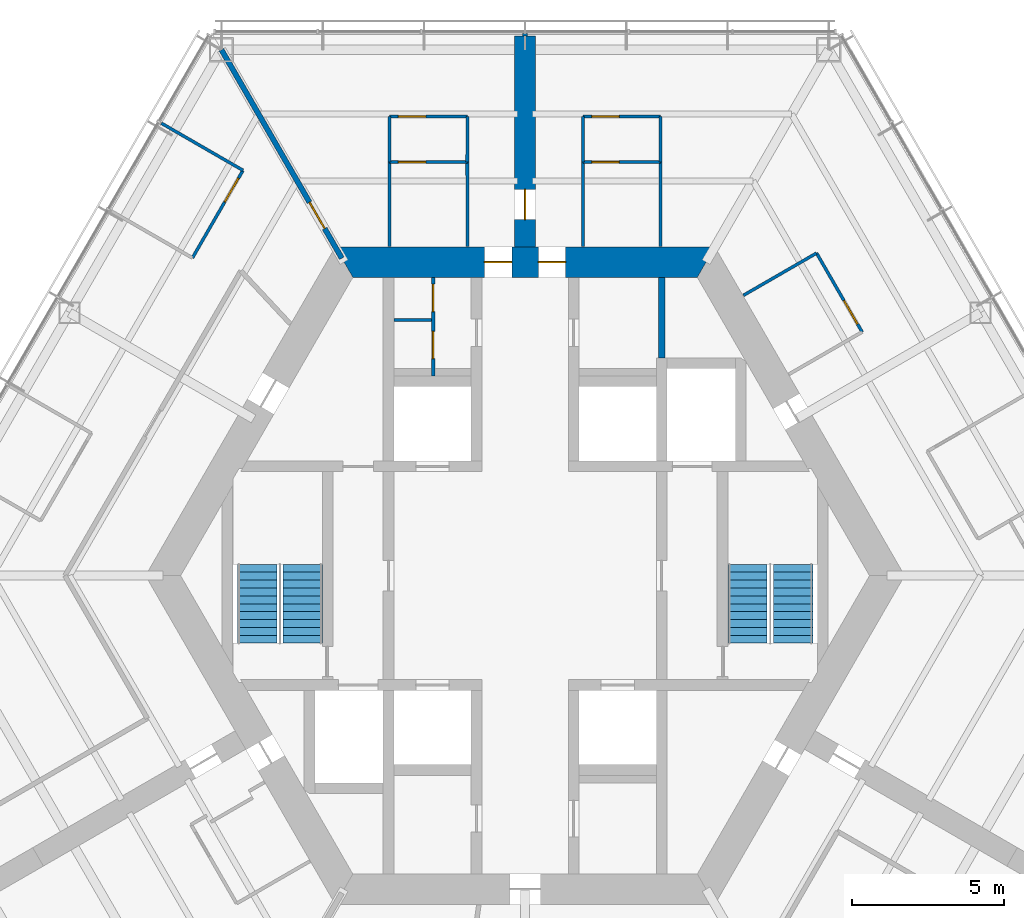
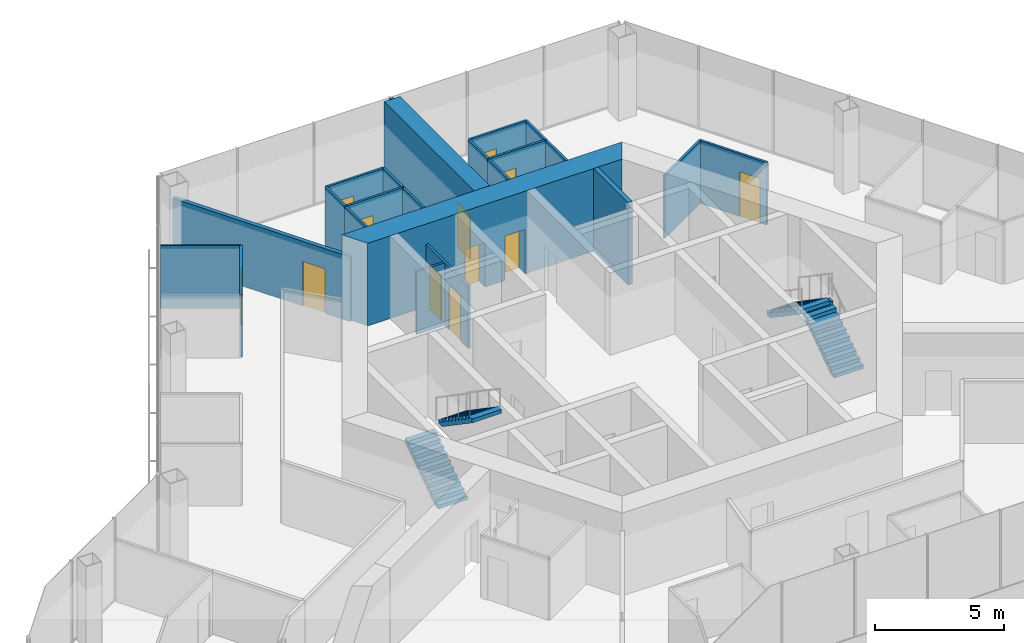
# One storey, part 15 of 18: 23 walls, 12 doors, 4 stair flights, 12 openings, 2 elements without a shape of their own.
"""IFC4 building model written with IfcOpenShell, lengths in metres."""

from ifc_helpers import new_model, si_unit, direction, frame, frame_2d, origin, place, context, subcontext, project, spatial, polyline, rectangle, outline, extrude, material, layer, layer_set, type_object, element, fill, aggregate, save


model = new_model("IFC4")

# Units and contexts
model_context = context("Model", 3, precision=1e-05, world=origin(), true_north=direction((0.0, 1.0)))
body_context = subcontext(model_context, "Body", "Model", "MODEL_VIEW")
ifc_project = project(units=[si_unit("LENGTHUNIT", "METRE"), si_unit("AREAUNIT", "SQUARE_METRE"), si_unit("VOLUMEUNIT", "CUBIC_METRE"), si_unit("PLANEANGLEUNIT", "RADIAN"), si_unit("MASSUNIT", "GRAM", prefix="KILO")], contexts=[model_context])

# Site, building, storey
site_placement = place(None, origin())
site = spatial("IfcSite", under=ifc_project, at=site_placement, CompositionType="ELEMENT")
building_placement = place(site_placement, origin())
building = spatial("IfcBuilding", under=site, at=building_placement, Name="Kasaneha Research Tower", CompositionType="ELEMENT")
storey_placement = place(building_placement, frame((0.0, 0.0, 179.89990234375)))
storey = spatial("IfcBuildingStorey", under=building, at=storey_placement, Name="L45", CompositionType="ELEMENT", Elevation=179.89990234375)

# Wall, openings, doors
ifc_material_1 = material(Name="Concrete Fc70", Category="concrete")
ifc_layer_1 = layer(ifc_material_1, 1.0)
ifc_layer_set_1 = layer_set([ifc_layer_1], Name="Core wall 1000 Fc70")
wall_type_1 = type_object("IfcWallType", Name="Core wall 1000 Fc70", PredefinedType="SHEAR", material=ifc_layer_set_1)
wall_1_placement = place(storey_placement, frame((5.961181640625, 10.324951171875, 0.0), z_axis=(0.0, 0.0, 1.0), x_axis=(-1.0, 0.0, 0.0)))
wall_1 = element("IfcWall", 1, at=wall_1_placement, inside=storey, type_object=wall_type_1, Name="Core wall 090 L45", PredefinedType="SHEAR", context=body_context, shape_type="SweptSolid", body=[
    extrude(outline(polyline([(-0.28857421875, -0.5), (4.62353515625, -0.5), (5.5234375, -0.5), (6.398681640625, -0.5), (7.298583984375, -0.5), (12.2109375, -0.5), (11.6337890625, 0.5), (7.298583984375, 0.5), (6.398681640625, 0.5), (5.5234375, 0.5), (4.62353515625, 0.5), (0.28857421875, 0.5), (-0.28857421875, -0.5)])), origin(), (0.0, 0.0, 1.0), 3.900146484375),
])
opening_1_placement = place(wall_1_placement, frame((6.398681640625, 0.0, 0.0)))
opening_1 = element("IfcOpeningElement", 2, at=opening_1_placement, cuts=wall_1, Name="Opening L45-D01", PredefinedType="OPENING", context=body_context, shape_type="SweptSolid", body=[
    extrude(rectangle(XDim=0.89990234375, YDim=2.10009765625, at=frame_2d((0.449951171875, 1.050048828125))), frame((0.0, 0.510009765625, 0.0), z_axis=(0.0, -1.0, 0.0), x_axis=(1.0, 0.0, 0.0)), (0.0, 0.0, 1.0), 1.02001953125),
])
opening_2_placement = place(wall_1_placement, frame((4.62353515625, 0.0, 0.0)))
opening_2 = element("IfcOpeningElement", 3, at=opening_2_placement, cuts=wall_1, Name="Opening L45-D02", PredefinedType="OPENING", context=body_context, shape_type="SweptSolid", body=[
    extrude(rectangle(XDim=0.89990234375, YDim=2.10009765625, at=frame_2d((0.449951171875, 1.050048828125))), frame((0.0, 0.510009765625, 0.0), z_axis=(0.0, -1.0, 0.0), x_axis=(1.0, 0.0, 0.0)), (0.0, 0.0, 1.0), 1.02001953125),
])
ifc_material_2 = material(Name="Steel", Category="steel")
door_type_1 = type_object("IfcDoorType", Name="Toilet door FD20 900x2100", OperationType="NOTDEFINED", PredefinedType="DOOR", material=ifc_material_2)
door_1_placement = place(opening_1_placement, origin())
door_1 = element("IfcDoor", 4, at=door_1_placement, inside=storey, type_object=door_type_1, Name="Core door north 1 L45-D01", OperationType="SINGLE_SWING_RIGHT", OverallHeight=2.10009765625, OverallWidth=0.89990234375, PredefinedType="DOOR", context=body_context, shape_type="SweptSolid", body=[
    extrude(rectangle(XDim=0.89990234375, YDim=2.10009765625, at=frame_2d((0.449951171875, 1.050048828125))), frame((0.0, 0.02490234375, 0.0), z_axis=(0.0, -1.0, 0.0), x_axis=(1.0, 0.0, 0.0)), (0.0, 0.0, 1.0), 0.050048828125),
])
fill(opening_1, door_1)
door_2_placement = place(opening_2_placement, origin())
door_2 = element("IfcDoor", 5, at=door_2_placement, inside=storey, type_object=door_type_1, Name="Core door north 2 L45-D02", OperationType="SINGLE_SWING_LEFT", OverallHeight=2.10009765625, OverallWidth=0.89990234375, PredefinedType="DOOR", context=body_context, shape_type="SweptSolid", body=[
    extrude(rectangle(XDim=0.89990234375, YDim=2.10009765625, at=frame_2d((0.449951171875, 1.050048828125))), frame((0.0, 0.02490234375, 0.0), z_axis=(0.0, -1.0, 0.0), x_axis=(1.0, 0.0, 0.0)), (0.0, 0.0, 1.0), 0.050048828125),
])
fill(opening_2, door_2)

ifc_material_3 = material(Name="Gypsum board on steel studs, one layer each side", Category="steel")
ifc_layer_2 = layer(ifc_material_3, 0.10009765625)
ifc_layer_set_2 = layer_set([ifc_layer_2], Name="Office partition 100")
wall_type_2 = type_object("IfcWallType", Name="Office partition 100", PredefinedType="PARTITIONING", material=ifc_layer_set_2)
wall_2_placement = place(storey_placement, frame((-3.02490234375, 6.574951171875, 0.0), z_axis=(0.0, 0.0, 1.0), x_axis=(0.0, 1.0, 0.0)))
wall_2 = element("IfcWall", 6, at=wall_2_placement, inside=storey, type_object=wall_type_2, Name="Office partition TBM1 L45", PredefinedType="PARTITIONING", context=body_context, shape_type="SweptSolid", body=[
    extrude(rectangle(XDim=3.25, YDim=0.10009765625, at=frame_2d((1.625, 0.0))), origin(), (0.0, 0.0, 1.0), 2.9501953125),
])
opening_3_placement = place(wall_2_placement, frame((0.574951171875, 0.0, 0.0)))
opening_3 = element("IfcOpeningElement", 7, at=opening_3_placement, cuts=wall_2, Name="Opening L45-D20", PredefinedType="OPENING", context=body_context, shape_type="SweptSolid", body=[
    extrude(rectangle(XDim=0.89990234375, YDim=2.10009765625, at=frame_2d((0.449951171875, 1.050048828125))), frame((0.0, 0.06005859375, 0.0), z_axis=(0.0, -1.0, 0.0), x_axis=(1.0, 0.0, 0.0)), (0.0, 0.0, 1.0), 0.1201171875),
])
opening_4_placement = place(wall_2_placement, frame((2.125, 0.0, 0.0)))
opening_4 = element("IfcOpeningElement", 8, at=opening_4_placement, cuts=wall_2, Name="Opening L45-D21", PredefinedType="OPENING", context=body_context, shape_type="SweptSolid", body=[
    extrude(rectangle(XDim=0.89990234375, YDim=2.10009765625, at=frame_2d((0.449951171875, 1.050048828125))), frame((0.0, 0.06005859375, 0.0), z_axis=(0.0, -1.0, 0.0), x_axis=(1.0, 0.0, 0.0)), (0.0, 0.0, 1.0), 0.1201171875),
])
ifc_material_4 = material(Name="Steel", Category="steel")
door_type_2 = type_object("IfcDoorType", Name="Toilet lobby door FD30 900x2100", OperationType="NOTDEFINED", PredefinedType="DOOR", material=ifc_material_4)
door_3_placement = place(opening_3_placement, origin())
door_3 = element("IfcDoor", 9, at=door_3_placement, inside=storey, type_object=door_type_2, Name="Men's WC door L45-D20", OperationType="SINGLE_SWING_RIGHT", OverallHeight=2.10009765625, OverallWidth=0.89990234375, PredefinedType="DOOR", context=body_context, shape_type="SweptSolid", body=[
    extrude(rectangle(XDim=0.89990234375, YDim=2.10009765625, at=frame_2d((0.449951171875, 1.050048828125))), frame((0.0, 0.02490234375, 0.0), z_axis=(0.0, -1.0, 0.0), x_axis=(1.0, 0.0, 0.0)), (0.0, 0.0, 1.0), 0.050048828125),
])
fill(opening_3, door_3)
door_4_placement = place(opening_4_placement, origin())
door_4 = element("IfcDoor", 10, at=door_4_placement, inside=storey, type_object=door_type_2, Name="Cleaner's store door L45-D21", OperationType="SINGLE_SWING_RIGHT", OverallHeight=2.10009765625, OverallWidth=0.89990234375, PredefinedType="DOOR", context=body_context, shape_type="SweptSolid", body=[
    extrude(rectangle(XDim=0.89990234375, YDim=2.10009765625, at=frame_2d((0.449951171875, 1.050048828125))), frame((0.0, 0.02490234375, 0.0), z_axis=(0.0, -1.0, 0.0), x_axis=(1.0, 0.0, 0.0)), (0.0, 0.0, 1.0), 0.050048828125),
])
fill(opening_4, door_4)

# Wall
wall_3_placement = place(storey_placement, frame((-3.074951171875, 8.425048828125, 0.0), z_axis=(0.0, 0.0, 1.0), x_axis=(-1.0, 0.0, 0.0)))
element("IfcWall", 11, at=wall_3_placement, inside=storey, type_object=wall_type_2, Name="Office partition TBM2 L45", PredefinedType="PARTITIONING", context=body_context, shape_type="SweptSolid", body=[
    extrude(rectangle(XDim=1.25, YDim=0.10009765625, at=frame_2d((0.625, 0.0))), origin(), (0.0, 0.0, 1.0), 2.9501953125),
])

# Wall, opening, door
wall_4_placement = place(storey_placement, frame((1.89990234375, 13.6201171875, 0.0), z_axis=(0.0, 0.0, 1.0), x_axis=(1.0, 0.0, 0.0)))
wall_4 = element("IfcWall", 12, at=wall_4_placement, inside=storey, type_object=wall_type_2, Name="Office partition FAE01 L45", PredefinedType="PARTITIONING", context=body_context, shape_type="SweptSolid", body=[
    extrude(rectangle(XDim=2.565185546875, YDim=0.10009765625, at=frame_2d((1.28271484375, 0.0))), origin(), (0.0, 0.0, 1.0), 2.9501953125),
])
opening_5_placement = place(wall_4_placement, frame((0.300048828125, 0.0, 0.0)))
opening_5 = element("IfcOpeningElement", 13, at=opening_5_placement, cuts=wall_4, Name="Opening L45-D24", PredefinedType="OPENING", context=body_context, shape_type="SweptSolid", body=[
    extrude(rectangle(XDim=0.89990234375, YDim=2.10009765625, at=frame_2d((0.449951171875, 1.050048828125))), frame((0.0, 0.06005859375, 0.0), z_axis=(0.0, -1.0, 0.0), x_axis=(1.0, 0.0, 0.0)), (0.0, 0.0, 1.0), 0.1201171875),
])
door_5_placement = place(opening_5_placement, origin())
door_5 = element("IfcDoor", 14, at=door_5_placement, inside=storey, type_object=door_type_2, Name="Women's WC door L45-D24", OperationType="SINGLE_SWING_LEFT", OverallHeight=2.10009765625, OverallWidth=0.89990234375, PredefinedType="DOOR", context=body_context, shape_type="SweptSolid", body=[
    extrude(rectangle(XDim=0.89990234375, YDim=2.10009765625, at=frame_2d((0.449951171875, 1.050048828125))), frame((0.0, 0.02490234375, 0.0), z_axis=(0.0, -1.0, 0.0), x_axis=(1.0, 0.0, 0.0)), (0.0, 0.0, 1.0), 0.050048828125),
])
fill(opening_5, door_5)

# Walls
for number, where, z_axis, x_axis, name in (
    (15, (1.89990234375, 10.844970703125, 0.0), (0.0, 0.0, 1.0), (0.001668567099, 0.999998607941, 0.0), "Office partition FAE02 L45"),
    (16, (4.460205078125, 13.625, 0.0), (0.0, 0.0, 1.0), (0.001756386155, -0.999998457553, 0.0), "Office partition FAE03 L45"),
):
    element("IfcWall", number, at=place(storey_placement, frame(where, z_axis=z_axis, x_axis=x_axis)), inside=storey, type_object=wall_type_2, Name=name, PredefinedType="PARTITIONING", context=body_context, shape_type="SweptSolid", body=[
        extrude(rectangle(XDim=2.780029296875, YDim=0.10009765625, at=frame_2d((1.39013671875, 0.0))), origin(), (0.0, 0.0, 1.0), 2.9501953125),
    ])

# Wall, opening, door
wall_5_placement = place(storey_placement, frame((1.89990234375, 15.125, 0.0), z_axis=(0.0, 0.0, 1.0), x_axis=(1.0, 0.0, 0.0)))
wall_5 = element("IfcWall", 17, at=wall_5_placement, inside=storey, type_object=wall_type_2, Name="Office partition FAE04 L45", PredefinedType="PARTITIONING", context=body_context, shape_type="SweptSolid", body=[
    extrude(rectangle(XDim=2.565185546875, YDim=0.10009765625, at=frame_2d((1.28271484375, 0.0))), origin(), (0.0, 0.0, 1.0), 2.9501953125),
])
opening_6_placement = place(wall_5_placement, frame((0.300048828125, 0.0, 0.0)))
opening_6 = element("IfcOpeningElement", 18, at=opening_6_placement, cuts=wall_5, Name="Opening L45-D25", PredefinedType="OPENING", context=body_context, shape_type="SweptSolid", body=[
    extrude(rectangle(XDim=0.89990234375, YDim=2.10009765625, at=frame_2d((0.449951171875, 1.050048828125))), frame((0.0, 0.06005859375, 0.0), z_axis=(0.0, -1.0, 0.0), x_axis=(1.0, 0.0, 0.0)), (0.0, 0.0, 1.0), 0.1201171875),
])
door_6_placement = place(opening_6_placement, origin())
door_6 = element("IfcDoor", 19, at=door_6_placement, inside=storey, type_object=door_type_2, Name="Toilet lobby door L45-D25", OperationType="SINGLE_SWING_LEFT", OverallHeight=2.10009765625, OverallWidth=0.89990234375, PredefinedType="DOOR", context=body_context, shape_type="SweptSolid", body=[
    extrude(rectangle(XDim=0.89990234375, YDim=2.10009765625, at=frame_2d((0.449951171875, 1.050048828125))), frame((0.0, 0.02490234375, 0.0), z_axis=(0.0, -1.0, 0.0), x_axis=(1.0, 0.0, 0.0)), (0.0, 0.0, 1.0), 0.050048828125),
])
fill(opening_6, door_6)

# Walls
for number, where, z_axis, x_axis, name in (
    (20, (1.904541015625, 13.625, 0.0), (0.0, 0.0, 1.0), (-0.00309243313, 0.999995218417, 0.0), "Office partition FAE05 L45"),
    (21, (4.465087890625, 15.125, 0.0), (0.0, 0.0, 1.0), (-0.003255191087, -0.999994701851, 0.0), "Office partition FAE06 L45"),
):
    element("IfcWall", number, at=place(storey_placement, frame(where, z_axis=z_axis, x_axis=x_axis)), inside=storey, type_object=wall_type_2, Name=name, PredefinedType="PARTITIONING", context=body_context, shape_type="SweptSolid", body=[
        extrude(rectangle(XDim=1.5, YDim=0.10009765625, at=frame_2d((0.75, 0.0))), origin(), (0.0, 0.0, 1.0), 2.9501953125),
    ])
wall_6_placement = place(storey_placement, frame((7.19189453125, 9.23291015625, 0.0), z_axis=(0.0, 0.0, 1.0), x_axis=(0.866018876994, 0.500011304563, 0.0)))
element("IfcWall", 22, at=wall_6_placement, inside=storey, type_object=wall_type_2, Name="Office partition FAE07 L45", PredefinedType="PARTITIONING", context=body_context, shape_type="SweptSolid", body=[
    extrude(rectangle(XDim=2.7802734375, YDim=0.10009765625, at=frame_2d((1.39013671875, 0.0))), origin(), (0.0, 0.0, 1.0), 2.9501953125),
])

# Wall, opening, door
wall_7_placement = place(storey_placement, frame((9.599609375, 10.623046875, 0.0), z_axis=(0.0, 0.0, 1.0), x_axis=(0.499990139034, -0.866031096941, 0.0)))
wall_7 = element("IfcWall", 23, at=wall_7_placement, inside=storey, type_object=wall_type_2, Name="Office partition FAE08 L45", PredefinedType="PARTITIONING", context=body_context, shape_type="SweptSolid", body=[
    extrude(rectangle(XDim=3.0, YDim=0.10009765625, at=frame_2d((1.5, 0.0))), origin(), (0.0, 0.0, 1.0), 2.9501953125),
])
opening_7_placement = place(wall_7_placement, frame((1.800048828125, 0.0, 0.0)))
opening_7 = element("IfcOpeningElement", 24, at=opening_7_placement, cuts=wall_7, Name="Opening L45-D26", PredefinedType="OPENING", context=body_context, shape_type="SweptSolid", body=[
    extrude(rectangle(XDim=0.89990234375, YDim=2.10009765625, at=frame_2d((0.449951171875, 1.050048828125))), frame((0.0, 0.06005859375, 0.0), z_axis=(0.0, -1.0, 0.0), x_axis=(1.0, 0.0, 0.0)), (0.0, 0.0, 1.0), 0.1201171875),
])
ifc_material_5 = material(Name="Timber veneer", Category="wood")
door_type_3 = type_object("IfcDoorType", Name="Office door 900x2100", OperationType="SINGLE_SWING_LEFT", PredefinedType="DOOR", material=ifc_material_5)
door_7_placement = place(opening_7_placement, origin())
door_7 = element("IfcDoor", 25, at=door_7_placement, inside=storey, type_object=door_type_3, Name="Pantry door L45-D26", OperationType="SINGLE_SWING_RIGHT", OverallHeight=2.10009765625, OverallWidth=0.89990234375, PredefinedType="DOOR", context=body_context, shape_type="SweptSolid", body=[
    extrude(rectangle(XDim=0.89990234375, YDim=2.10009765625, at=frame_2d((0.449951171875, 1.050048828125))), frame((0.0, 0.02490234375, 0.0), z_axis=(0.0, -1.0, 0.0), x_axis=(1.0, 0.0, 0.0)), (0.0, 0.0, 1.0), 0.050048828125),
])
fill(opening_7, door_7)

wall_8_placement = place(storey_placement, frame((-4.470947265625, 13.6201171875, 0.0), z_axis=(0.0, 0.0, 1.0), x_axis=(1.0, 0.0, 0.0)))
wall_8 = element("IfcWall", 26, at=wall_8_placement, inside=storey, type_object=wall_type_2, Name="Office partition FAW01 L45", PredefinedType="PARTITIONING", context=body_context, shape_type="SweptSolid", body=[
    extrude(rectangle(XDim=2.571044921875, YDim=0.10009765625, at=frame_2d((1.28564453125, 0.0))), origin(), (0.0, 0.0, 1.0), 2.9501953125),
])
opening_8_placement = place(wall_8_placement, frame((0.300048828125, 0.0, 0.0)))
opening_8 = element("IfcOpeningElement", 27, at=opening_8_placement, cuts=wall_8, Name="Opening L45-D29", PredefinedType="OPENING", context=body_context, shape_type="SweptSolid", body=[
    extrude(rectangle(XDim=0.89990234375, YDim=2.10009765625, at=frame_2d((0.449951171875, 1.050048828125))), frame((0.0, 0.06005859375, 0.0), z_axis=(0.0, -1.0, 0.0), x_axis=(1.0, 0.0, 0.0)), (0.0, 0.0, 1.0), 0.1201171875),
])
door_8_placement = place(opening_8_placement, origin())
door_8 = element("IfcDoor", 28, at=door_8_placement, inside=storey, type_object=door_type_2, Name="Men's WC door L45-D29", OperationType="SINGLE_SWING_LEFT", OverallHeight=2.10009765625, OverallWidth=0.89990234375, PredefinedType="DOOR", context=body_context, shape_type="SweptSolid", body=[
    extrude(rectangle(XDim=0.89990234375, YDim=2.10009765625, at=frame_2d((0.449951171875, 1.050048828125))), frame((0.0, 0.02490234375, 0.0), z_axis=(0.0, -1.0, 0.0), x_axis=(1.0, 0.0, 0.0)), (0.0, 0.0, 1.0), 0.050048828125),
])
fill(opening_8, door_8)

# Walls
for number, where, z_axis, x_axis, name in (
    (29, (-4.470947265625, 10.844970703125, 0.0), (0.0, 0.0, 1.0), (0.001668567099, 0.999998607941, 0.0), "Office partition FAW02 L45"),
    (30, (-1.90478515625, 13.625, 0.0), (0.0, 0.0, 1.0), (0.001756386155, -0.999998457553, 0.0), "Office partition FAW03 L45"),
):
    element("IfcWall", number, at=place(storey_placement, frame(where, z_axis=z_axis, x_axis=x_axis)), inside=storey, type_object=wall_type_2, Name=name, PredefinedType="PARTITIONING", context=body_context, shape_type="SweptSolid", body=[
        extrude(rectangle(XDim=2.780029296875, YDim=0.10009765625, at=frame_2d((1.39013671875, 0.0))), origin(), (0.0, 0.0, 1.0), 2.9501953125),
    ])

# Wall, opening, door
wall_9_placement = place(storey_placement, frame((-4.470947265625, 15.125, 0.0), z_axis=(0.0, 0.0, 1.0), x_axis=(1.0, 0.0, 0.0)))
wall_9 = element("IfcWall", 31, at=wall_9_placement, inside=storey, type_object=wall_type_2, Name="Office partition FAW04 L45", PredefinedType="PARTITIONING", context=body_context, shape_type="SweptSolid", body=[
    extrude(rectangle(XDim=2.571044921875, YDim=0.10009765625, at=frame_2d((1.28564453125, 0.0))), origin(), (0.0, 0.0, 1.0), 2.9501953125),
])
opening_9_placement = place(wall_9_placement, frame((0.300048828125, 0.0, 0.0)))
opening_9 = element("IfcOpeningElement", 32, at=opening_9_placement, cuts=wall_9, Name="Opening L45-D30", PredefinedType="OPENING", context=body_context, shape_type="SweptSolid", body=[
    extrude(rectangle(XDim=0.89990234375, YDim=2.10009765625, at=frame_2d((0.449951171875, 1.050048828125))), frame((0.0, 0.06005859375, 0.0), z_axis=(0.0, -1.0, 0.0), x_axis=(1.0, 0.0, 0.0)), (0.0, 0.0, 1.0), 0.1201171875),
])
door_9_placement = place(opening_9_placement, origin())
door_9 = element("IfcDoor", 33, at=door_9_placement, inside=storey, type_object=door_type_2, Name="Toilet lobby door L45-D30", OperationType="SINGLE_SWING_LEFT", OverallHeight=2.10009765625, OverallWidth=0.89990234375, PredefinedType="DOOR", context=body_context, shape_type="SweptSolid", body=[
    extrude(rectangle(XDim=0.89990234375, YDim=2.10009765625, at=frame_2d((0.449951171875, 1.050048828125))), frame((0.0, 0.02490234375, 0.0), z_axis=(0.0, -1.0, 0.0), x_axis=(1.0, 0.0, 0.0)), (0.0, 0.0, 1.0), 0.050048828125),
])
fill(opening_9, door_9)

# Walls
for number, where, z_axis, x_axis, name in (
    (34, (-4.46630859375, 13.625, 0.0), (0.0, 0.0, 1.0), (-0.00309243313, 0.999995218417, 0.0), "Office partition FAW05 L45"),
    (35, (-1.89990234375, 15.125, 0.0), (0.0, 0.0, 1.0), (-0.003255191087, -0.999994701851, 0.0), "Office partition FAW06 L45"),
):
    element("IfcWall", number, at=place(storey_placement, frame(where, z_axis=z_axis, x_axis=x_axis)), inside=storey, type_object=wall_type_2, Name=name, PredefinedType="PARTITIONING", context=body_context, shape_type="SweptSolid", body=[
        extrude(rectangle(XDim=1.5, YDim=0.10009765625, at=frame_2d((0.75, 0.0))), origin(), (0.0, 0.0, 1.0), 2.9501953125),
    ])
wall_10_placement = place(storey_placement, frame((-11.979736328125, 14.901611328125, 0.0), z_axis=(0.0, 0.0, 1.0), x_axis=(0.866042875753, -0.499969736442, 0.0)))
element("IfcWall", 36, at=wall_10_placement, inside=storey, type_object=wall_type_2, Name="Office partition FBN12 L45", PredefinedType="PARTITIONING", context=body_context, shape_type="SweptSolid", body=[
    extrude(rectangle(XDim=3.105224609375, YDim=0.10009765625, at=frame_2d((1.552734375, 0.0))), origin(), (0.0, 0.0, 1.0), 2.9501953125),
])

# Wall, opening, door
wall_11_placement = place(storey_placement, frame((-9.29052734375, 13.34912109375, 0.0), z_axis=(0.0, 0.0, 1.0), x_axis=(-0.500033344505, -0.86600615147, 0.0)))
wall_11 = element("IfcWall", 37, at=wall_11_placement, inside=storey, type_object=wall_type_2, Name="Office partition FBN14 L45", PredefinedType="PARTITIONING", context=body_context, shape_type="SweptSolid", body=[
    extrude(rectangle(XDim=3.330810546875, YDim=0.10009765625, at=frame_2d((1.66552734375, 0.0))), origin(), (0.0, 0.0, 1.0), 2.9501953125),
])
opening_10_placement = place(wall_11_placement, frame((0.300048828125, 0.0, 0.0)))
opening_10 = element("IfcOpeningElement", 38, at=opening_10_placement, cuts=wall_11, Name="Opening L45-D35", PredefinedType="OPENING", context=body_context, shape_type="SweptSolid", body=[
    extrude(rectangle(XDim=0.89990234375, YDim=2.10009765625, at=frame_2d((0.449951171875, 1.050048828125))), frame((0.0, 0.06005859375, 0.0), z_axis=(0.0, -1.0, 0.0), x_axis=(1.0, 0.0, 0.0)), (0.0, 0.0, 1.0), 0.1201171875),
])
door_10_placement = place(opening_10_placement, origin())
door_10 = element("IfcDoor", 39, at=door_10_placement, inside=storey, type_object=door_type_3, Name="Workroom door L45-D35", OperationType="SINGLE_SWING_LEFT", OverallHeight=2.10009765625, OverallWidth=0.89990234375, PredefinedType="DOOR", context=body_context, shape_type="SweptSolid", body=[
    extrude(rectangle(XDim=0.89990234375, YDim=2.10009765625, at=frame_2d((0.449951171875, 1.050048828125))), frame((0.0, 0.02490234375, 0.0), z_axis=(0.0, -1.0, 0.0), x_axis=(1.0, 0.0, 0.0)), (0.0, 0.0, 1.0), 0.050048828125),
])
fill(opening_10, door_10)

# Wall
ifc_material_6 = material(Name="Concrete block", Category="concrete")
ifc_layer_3 = layer(ifc_material_6, 0.199951171875)
ifc_layer_set_3 = layer_set([ifc_layer_3], Name="Riser enclosure wall 200")
wall_type_3 = type_object("IfcWallType", Name="Riser enclosure wall 200", PredefinedType="STANDARD", material=ifc_layer_set_3)
wall_12_placement = place(storey_placement, frame((4.5, 7.175048828125, 0.0), z_axis=(0.0, 0.0, 1.0), x_axis=(0.0, 1.0, 0.0)))
element("IfcWall", 40, at=wall_12_placement, inside=storey, type_object=wall_type_3, Name="Riser enclosure wall L45", PredefinedType="STANDARD", context=body_context, shape_type="SweptSolid", body=[
    extrude(rectangle(XDim=2.64990234375, YDim=0.199951171875, at=frame_2d((1.324951171875, 0.0))), origin(), (0.0, 0.0, 1.0), 3.900146484375),
])

# Wall, opening, door
ifc_material_7 = material(Name="Concrete Fc70", Category="concrete")
ifc_layer_4 = layer(ifc_material_7, 0.699951171875)
ifc_layer_set_4 = layer_set([ifc_layer_4], Name="Spine wall 700 Fc70")
wall_type_4 = type_object("IfcWallType", Name="Spine wall 700 Fc70", PredefinedType="SHEAR", material=ifc_layer_set_4)
wall_13_placement = place(storey_placement, frame((0.0, 10.824951171875, 0.0), z_axis=(0.0, 0.0, 1.0), x_axis=(0.0, 1.0, 0.0)))
wall_13 = element("IfcWall", 41, at=wall_13_placement, inside=storey, type_object=wall_type_4, Name="Spine wall A L45", PredefinedType="SHEAR", context=body_context, shape_type="SweptSolid", body=[
    extrude(rectangle(XDim=6.945556640625, YDim=0.699951171875, at=frame_2d((3.47265625, 0.0))), origin(), (0.0, 0.0, 1.0), 3.900146484375),
])
opening_11_placement = place(wall_13_placement, frame((0.89990234375, 0.0, 0.0)))
opening_11 = element("IfcOpeningElement", 42, at=opening_11_placement, cuts=wall_13, Name="Opening L45-D17", PredefinedType="OPENING", context=body_context, shape_type="SweptSolid", body=[
    extrude(rectangle(XDim=1.0, YDim=2.10009765625, at=frame_2d((0.5, 1.050048828125))), frame((0.0, 0.35986328125, 0.0), z_axis=(0.0, -1.0, 0.0), x_axis=(1.0, 0.0, 0.0)), (0.0, 0.0, 1.0), 0.719970703125),
])
ifc_material_8 = material(Name="Steel", Category="steel")
door_type_4 = type_object("IfcDoorType", Name="Specified fire door FD60 1000x2100", OperationType="NOTDEFINED", PredefinedType="DOOR", material=ifc_material_8)
door_11_placement = place(opening_11_placement, origin())
door_11 = element("IfcDoor", 43, at=door_11_placement, inside=storey, type_object=door_type_4, Name="Spine doorway A L45-D17", OperationType="SINGLE_SWING_LEFT", OverallHeight=2.10009765625, OverallWidth=1.0, PredefinedType="DOOR", context=body_context, shape_type="SweptSolid", body=[
    extrude(rectangle(XDim=1.0, YDim=2.10009765625, at=frame_2d((0.5, 1.050048828125))), frame((0.0, 0.02490234375, 0.0), z_axis=(0.0, -1.0, 0.0), x_axis=(1.0, 0.0, 0.0)), (0.0, 0.0, 1.0), 0.050048828125),
])
fill(opening_11, door_11)

ifc_material_9 = material(Name="Gypsum board on steel studs, two layers each side", Category="steel")
ifc_layer_5 = layer(ifc_material_9, 0.175048828125)
ifc_layer_set_5 = layer_set([ifc_layer_5], Name="Tenancy fire partition 175")
wall_type_5 = type_object("IfcWallType", Name="Tenancy fire partition 175", PredefinedType="PARTITIONING", material=ifc_layer_set_5)
wall_14_placement = place(storey_placement, frame((-6.034912109375, 10.45263671875, 0.0), z_axis=(0.0, 0.0, 1.0), x_axis=(-0.499989830942, 0.866031274813, 0.0)))
wall_14 = element("IfcWall", 44, at=wall_14_placement, inside=storey, type_object=wall_type_5, Name="Tenancy fire partition T120 L45", PredefinedType="PARTITIONING", context=body_context, shape_type="SweptSolid", body=[
    extrude(rectangle(XDim=7.930419921875, YDim=0.175048828125, at=frame_2d((3.96533203125, 0.0))), origin(), (0.0, 0.0, 1.0), 3.050048828125),
])
opening_12_placement = place(wall_14_placement, frame((1.1298828125, 0.0, 0.0)))
opening_12 = element("IfcOpeningElement", 45, at=opening_12_placement, cuts=wall_14, Name="Opening L45-D22", PredefinedType="OPENING", context=body_context, shape_type="SweptSolid", body=[
    extrude(rectangle(XDim=1.0, YDim=2.10009765625, at=frame_2d((0.5, 1.050048828125))), frame((0.0, 0.09765625, 0.0), z_axis=(0.0, -1.0, 0.0), x_axis=(1.0, 0.0, 0.0)), (0.0, 0.0, 1.0), 0.195068359375),
])
ifc_material_10 = material(Name="Steel", Category="steel")
door_type_5 = type_object("IfcDoorType", Name="Suite entrance door FD60 1000x2100", OperationType="NOTDEFINED", PredefinedType="DOOR", material=ifc_material_10)
door_12_placement = place(opening_12_placement, origin())
door_12 = element("IfcDoor", 46, at=door_12_placement, inside=storey, type_object=door_type_5, Name="Connecting door L45-D22", OperationType="SINGLE_SWING_LEFT", OverallHeight=2.10009765625, OverallWidth=1.0, PredefinedType="DOOR", context=body_context, shape_type="SweptSolid", body=[
    extrude(rectangle(XDim=1.0, YDim=2.10009765625, at=frame_2d((0.5, 1.050048828125))), frame((0.0, 0.02490234375, 0.0), z_axis=(0.0, -1.0, 0.0), x_axis=(1.0, 0.0, 0.0)), (0.0, 0.0, 1.0), 0.050048828125),
])
fill(opening_12, door_12)

# Wall
wall_15_placement = place(storey_placement, frame((0.0, 17.7705078125, 0.0), z_axis=(0.0, 0.0, 1.0), x_axis=(0.0, 1.0, 0.0)))
element("IfcWall", 47, at=wall_15_placement, inside=storey, type_object=wall_type_5, Name="Spine wall closer SW3-700 L45", PredefinedType="PARTITIONING", context=body_context, shape_type="SweptSolid", body=[
    extrude(rectangle(XDim=0.080078125, YDim=0.175048828125, at=frame_2d((0.0400390625, 0.0))), origin(), (0.0, 0.0, 1.0), 3.900146484375),
])

# Stair, stair flights
ifc_material_11 = material(Name="Concrete Fc24", Category="concrete")
stair_type = type_object("IfcStairType", Name="Half-turn stair 22 risers", PredefinedType="HALF_TURN_STAIR", material=ifc_material_11)
stair_1_placement = place(storey_placement, origin())
stair_1 = element("IfcStair", 48, at=stair_1_placement, inside=storey, type_object=stair_type, Name="Stair 1 L45", PredefinedType="HALF_TURN_STAIR")
ifc_material_12 = material(Name="Concrete Fc24", Category="concrete")
stair_flight_type = type_object("IfcStairFlightType", Name="Stair flight 11 risers 177.3", PredefinedType="STRAIGHT", material=ifc_material_12)
stair_flight_1_placement = place(storey_placement, frame((8.824951171875, -2.22509765625, 0.0), z_axis=(0.0, 0.0, 1.0), x_axis=(0.0, 1.0, 0.0)))
stair_flight_1 = element("IfcStairFlight", 49, at=stair_flight_1_placement, type_object=stair_flight_type, Name="ST1-22R flight 1", NumberOfRisers=11, NumberOfTreads=10, PredefinedType="STRAIGHT", RiserHeight=0.177272727, TreadLength=0.26, context=body_context, shape_type="SweptSolid", body=[
    extrude(outline(polyline([(0.0, 0.0), (0.0, 0.17724609375), (0.260009765625, 0.17724609375), (0.260009765625, 0.3544921875), (0.52001953125, 0.3544921875), (0.52001953125, 0.53173828125), (0.780029296875, 0.53173828125), (0.780029296875, 0.708984375), (1.0400390625, 0.708984375), (1.0400390625, 0.886474609375), (1.300048828125, 0.886474609375), (1.300048828125, 1.063720703125), (1.56005859375, 1.063720703125), (1.56005859375, 1.240966796875), (1.820068359375, 1.240966796875), (1.820068359375, 1.418212890625), (2.080078125, 1.418212890625), (2.080078125, 1.595458984375), (2.340087890625, 1.595458984375), (2.340087890625, 1.772705078125), (2.60009765625, 1.772705078125), (2.60009765625, 1.949951171875), (2.60009765625, 1.59130859375), (0.26611328125, 0.0), (0.0, 0.0)])), frame((0.0, 0.64990234375, 0.0), z_axis=(0.0, -1.0, 0.0), x_axis=(1.0, 0.0, 0.0)), (0.0, 0.0, 1.0), 1.300048828125),
])
stair_flight_2_placement = place(storey_placement, frame((7.324951171875, 0.375, 1.9501953125), z_axis=(0.0, 0.0, 1.0), x_axis=(0.0, -1.0, 0.0)))
stair_flight_2 = element("IfcStairFlight", 50, at=stair_flight_2_placement, type_object=stair_flight_type, Name="ST1-22R flight 2", NumberOfRisers=11, NumberOfTreads=10, PredefinedType="STRAIGHT", RiserHeight=0.177272727, TreadLength=0.26, context=body_context, shape_type="SweptSolid", body=[
    extrude(outline(polyline([(0.0, 0.0), (0.0, 0.17724609375), (0.260009765625, 0.17724609375), (0.260009765625, 0.3544921875), (0.52001953125, 0.3544921875), (0.52001953125, 0.53173828125), (0.780029296875, 0.53173828125), (0.780029296875, 0.708984375), (1.0400390625, 0.708984375), (1.0400390625, 0.886474609375), (1.300048828125, 0.886474609375), (1.300048828125, 1.063720703125), (1.56005859375, 1.063720703125), (1.56005859375, 1.240966796875), (1.820068359375, 1.240966796875), (1.820068359375, 1.418212890625), (2.080078125, 1.418212890625), (2.080078125, 1.595458984375), (2.340087890625, 1.595458984375), (2.340087890625, 1.772705078125), (2.60009765625, 1.772705078125), (2.60009765625, 1.949951171875), (2.60009765625, 1.59130859375), (0.26611328125, 0.0), (0.0, 0.0)])), frame((0.0, 0.64990234375, 0.0), z_axis=(0.0, -1.0, 0.0), x_axis=(1.0, 0.0, 0.0)), (0.0, 0.0, 1.0), 1.300048828125),
])
aggregate(stair_1, [stair_flight_1, stair_flight_2])

stair_2_placement = place(storey_placement, origin())
stair_2 = element("IfcStair", 51, at=stair_2_placement, inside=storey, type_object=stair_type, Name="Stair 2 L45", PredefinedType="HALF_TURN_STAIR")
stair_flight_3_placement = place(storey_placement, frame((-8.824951171875, -2.22509765625, 0.0), z_axis=(0.0, 0.0, 1.0), x_axis=(0.0, 1.0, 0.0)))
stair_flight_3 = element("IfcStairFlight", 52, at=stair_flight_3_placement, type_object=stair_flight_type, Name="ST2-22R flight 1", NumberOfRisers=11, NumberOfTreads=10, PredefinedType="STRAIGHT", RiserHeight=0.177272727, TreadLength=0.26, context=body_context, shape_type="SweptSolid", body=[
    extrude(outline(polyline([(0.0, 0.0), (0.0, 0.17724609375), (0.260009765625, 0.17724609375), (0.260009765625, 0.3544921875), (0.52001953125, 0.3544921875), (0.52001953125, 0.53173828125), (0.780029296875, 0.53173828125), (0.780029296875, 0.708984375), (1.0400390625, 0.708984375), (1.0400390625, 0.886474609375), (1.300048828125, 0.886474609375), (1.300048828125, 1.063720703125), (1.56005859375, 1.063720703125), (1.56005859375, 1.240966796875), (1.820068359375, 1.240966796875), (1.820068359375, 1.418212890625), (2.080078125, 1.418212890625), (2.080078125, 1.595458984375), (2.340087890625, 1.595458984375), (2.340087890625, 1.772705078125), (2.60009765625, 1.772705078125), (2.60009765625, 1.949951171875), (2.60009765625, 1.59130859375), (0.26611328125, 0.0), (0.0, 0.0)])), frame((0.0, 0.64990234375, 0.0), z_axis=(0.0, -1.0, 0.0), x_axis=(1.0, 0.0, 0.0)), (0.0, 0.0, 1.0), 1.300048828125),
])
stair_flight_4_placement = place(storey_placement, frame((-7.324951171875, 0.375, 1.9501953125), z_axis=(0.0, 0.0, 1.0), x_axis=(0.0, -1.0, 0.0)))
stair_flight_4 = element("IfcStairFlight", 53, at=stair_flight_4_placement, type_object=stair_flight_type, Name="ST2-22R flight 2", NumberOfRisers=11, NumberOfTreads=10, PredefinedType="STRAIGHT", RiserHeight=0.177272727, TreadLength=0.26, context=body_context, shape_type="SweptSolid", body=[
    extrude(outline(polyline([(0.0, 0.0), (0.0, 0.17724609375), (0.260009765625, 0.17724609375), (0.260009765625, 0.3544921875), (0.52001953125, 0.3544921875), (0.52001953125, 0.53173828125), (0.780029296875, 0.53173828125), (0.780029296875, 0.708984375), (1.0400390625, 0.708984375), (1.0400390625, 0.886474609375), (1.300048828125, 0.886474609375), (1.300048828125, 1.063720703125), (1.56005859375, 1.063720703125), (1.56005859375, 1.240966796875), (1.820068359375, 1.240966796875), (1.820068359375, 1.418212890625), (2.080078125, 1.418212890625), (2.080078125, 1.595458984375), (2.340087890625, 1.595458984375), (2.340087890625, 1.772705078125), (2.60009765625, 1.772705078125), (2.60009765625, 1.949951171875), (2.60009765625, 1.59130859375), (0.26611328125, 0.0), (0.0, 0.0)])), frame((0.0, 0.64990234375, 0.0), z_axis=(0.0, -1.0, 0.0), x_axis=(1.0, 0.0, 0.0)), (0.0, 0.0, 1.0), 1.300048828125),
])
aggregate(stair_2, [stair_flight_3, stair_flight_4])

save(model, "model.ifc")
